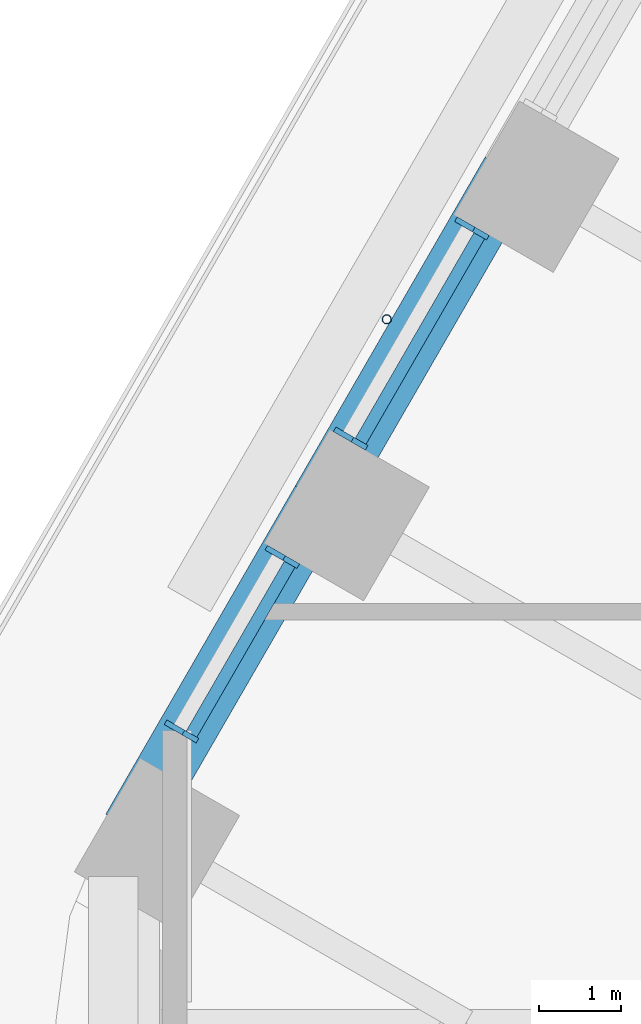
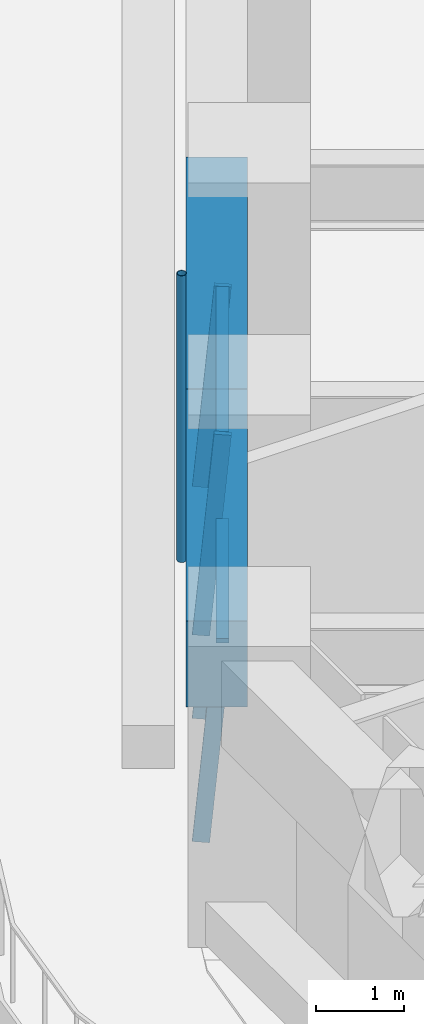
# One storey, part 6 of 20: 7 members, 2 beams, 2 elements without a shape of their own.
"""IFC4 building model written with IfcOpenShell, lengths in metres."""

from ifc_helpers import new_model, si_unit, direction, frame, origin, origin_2d, place, context, subcontext, project, spatial, rectangle, hollow_circle, extrude, material, material_profile, profile_set, type_object, element, aggregate, save


model = new_model("IFC4")

# Units and contexts
model_context = context("Model", 3, precision=1e-05, world=origin(), true_north=direction((0.0, 1.0)))
body_context = subcontext(model_context, "Body", "Model", "MODEL_VIEW")
ifc_project = project(units=[si_unit("LENGTHUNIT", "METRE"), si_unit("AREAUNIT", "SQUARE_METRE"), si_unit("VOLUMEUNIT", "CUBIC_METRE"), si_unit("PLANEANGLEUNIT", "RADIAN"), si_unit("MASSUNIT", "GRAM", prefix="KILO")], contexts=[model_context])

# Site, building, storey
site_placement = place(None, origin())
site = spatial("IfcSite", under=ifc_project, at=site_placement, CompositionType="ELEMENT")
building_placement = place(site_placement, origin())
building = spatial("IfcBuilding", under=site, at=building_placement, Name="Tarfa Lantern Tower", CompositionType="ELEMENT")
storey_placement = place(building_placement, frame((0.0, 0.0, 232.300048828125)))
storey = spatial("IfcBuildingStorey", under=building, at=storey_placement, Name="L52", CompositionType="ELEMENT", Elevation=232.300048828125)

# Curtain wall, members
ifc_material_1 = material(Name="Aluminium framed curtain wall", Category="aluminium")
curtain_wall_type = type_object("IfcCurtainWallType", Name="CW3 CANTED GLAZING HIGH ZONE 2800", PredefinedType="USERDEFINED", material=ifc_material_1)
curtain_wall_1_placement = place(storey_placement, origin())
curtain_wall_1 = element("IfcCurtainWall", 1, at=curtain_wall_1_placement, inside=storey, type_object=curtain_wall_type, Name="CW3 NW L52", ObjectType="CURTAIN WALL", PredefinedType="USERDEFINED")
ifc_material_2 = material(Name="Aluminium mullion", Category="aluminium")
ifc_material_profile_1 = material_profile(ifc_material_2, rectangle(XDim=0.06494140625, YDim=0.199951171875, at=origin_2d()), Name="AL MULLION 65x200")
ifc_profile_set_1 = profile_set([ifc_material_profile_1], Name="Aluminium mullion")
member_type_1 = type_object("IfcMemberType", Name="CWM1 MULLION 65x200", PredefinedType="MULLION", material=ifc_profile_set_1)
member_1_placement = place(storey_placement, frame((-27.75390625, 9.72900390625, 0.0), z_axis=(0.077032386753, -0.044465143199, 0.996036576854), x_axis=(0.499919672301, 0.866071776036, 0.0)))
member_1 = element("IfcMember", 2, at=member_1_placement, type_object=member_type_1, Name="CW3 mullion 1", PredefinedType="MULLION", context=body_context, shape_type="SweptSolid", body=[
    extrude(rectangle(XDim=0.06494140625, YDim=0.199951171875, at=origin_2d()), origin(), (0.0, 0.0, 1.0), 2.811279296875),
])
member_2_placement = place(storey_placement, frame((-29.230712890625, 7.1708984375, 0.0), z_axis=(0.077032386753, -0.044465143199, 0.996036576854), x_axis=(0.499919672301, 0.866071776036, 0.0)))
member_2 = element("IfcMember", 3, at=member_2_placement, type_object=member_type_1, Name="CW3 mullion 2", PredefinedType="MULLION", context=body_context, shape_type="SweptSolid", body=[
    extrude(rectangle(XDim=0.06494140625, YDim=0.199951171875, at=origin_2d()), origin(), (0.0, 0.0, 1.0), 2.811279296875),
])

curtain_wall_2_placement = place(storey_placement, origin())
curtain_wall_2 = element("IfcCurtainWall", 4, at=curtain_wall_2_placement, inside=storey, type_object=curtain_wall_type, Name="CW3 NW L52", ObjectType="CURTAIN WALL", PredefinedType="USERDEFINED")
member_3_placement = place(storey_placement, frame((-30.063232421875, 5.72900390625, 0.0), z_axis=(0.077032386753, -0.044465143199, 0.996036576854), x_axis=(0.499919672301, 0.866071776036, 0.0)))
member_3 = element("IfcMember", 5, at=member_3_placement, type_object=member_type_1, Name="CW3 mullion 1", PredefinedType="MULLION", context=body_context, shape_type="SweptSolid", body=[
    extrude(rectangle(XDim=0.06494140625, YDim=0.199951171875, at=origin_2d()), origin(), (0.0, 0.0, 1.0), 2.811279296875),
])
member_4_placement = place(storey_placement, frame((-31.2900390625, 3.60400390625, 0.0), z_axis=(0.077032386753, -0.044465143199, 0.996036576854), x_axis=(0.499919672301, 0.866071776036, 0.0)))
member_4 = element("IfcMember", 6, at=member_4_placement, type_object=member_type_1, Name="CW3 mullion 2", PredefinedType="MULLION", context=body_context, shape_type="SweptSolid", body=[
    extrude(rectangle(XDim=0.06494140625, YDim=0.199951171875, at=origin_2d()), origin(), (0.0, 0.0, 1.0), 2.811279296875),
])

# Member
ifc_material_3 = material(Name="Aluminium transom", Category="aluminium")
ifc_material_profile_2 = material_profile(ifc_material_3, rectangle(XDim=0.14990234375, YDim=0.06494140625, at=origin_2d()), Name="AL TRANSOM 150x65")
ifc_profile_set_2 = profile_set([ifc_material_profile_2], Name="Aluminium transom")
member_type_2 = type_object("IfcMemberType", Name="CWT1 TRANSOM 150x65", PredefinedType="USERDEFINED", material=ifc_profile_set_2)
member_5_placement = place(storey_placement, frame((-27.55615234375, 9.577392578125, 2.767333984375), z_axis=(-0.499993141028, -0.866029363778, 0.0), x_axis=(0.866029363778, -0.499993141028, 0.0)))
member_5 = element("IfcMember", 7, at=member_5_placement, type_object=member_type_2, Name="CW3 transom 1.2", ObjectType="TRANSOM", PredefinedType="USERDEFINED", context=body_context, shape_type="SweptSolid", body=[
    extrude(rectangle(XDim=0.14990234375, YDim=0.06494140625, at=origin_2d()), origin(), (0.0, 0.0, 1.0), 2.888671875),
])

aggregate(curtain_wall_1, [member_1, member_2, member_5])

member_6_placement = place(storey_placement, frame((-29.865478515625, 5.577392578125, 2.767333984375), z_axis=(-0.499964266659, -0.866046033456, 0.0), x_axis=(0.866046033456, -0.499964266659, 0.0)))
member_6 = element("IfcMember", 8, at=member_6_placement, type_object=member_type_2, Name="CW3 transom 1.2", ObjectType="TRANSOM", PredefinedType="USERDEFINED", context=body_context, shape_type="SweptSolid", body=[
    extrude(rectangle(XDim=0.14990234375, YDim=0.06494140625, at=origin_2d()), origin(), (0.0, 0.0, 1.0), 2.388916015625),
])

aggregate(curtain_wall_2, [member_3, member_4, member_6])

# Beams
ifc_material_4 = material(Name="Concrete C80/95", Category="concrete")
ifc_material_profile_3 = material_profile(ifc_material_4, rectangle(XDim=0.699951171875, YDim=1.199951171875, at=origin_2d()), Name="RC 700x1200")
ifc_profile_set_3 = profile_set([ifc_material_profile_3], Name="Concrete C80/95")
beam_type = type_object("IfcBeamType", Name="EB3 RC 700x1200", PredefinedType="SPANDREL", material=ifc_profile_set_3)
beam_1_placement = place(storey_placement, frame((-27.181640625, 10.360107421875, 3.39990234375), z_axis=(-0.499987836815, -0.866032426089, 0.0), x_axis=(0.866032426089, -0.499987836815, 0.0)))
element("IfcBeam", 9, at=beam_1_placement, inside=storey, type_object=beam_type, Name="Edge beam NW4", PredefinedType="SPANDREL", context=body_context, shape_type="SweptSolid", body=[
    extrude(rectangle(XDim=0.699951171875, YDim=1.199951171875, at=origin_2d()), origin(), (0.0, 0.0, 1.0), 4.61865234375),
])
beam_2_placement = place(storey_placement, frame((-29.490966796875, 6.360107421875, 3.39990234375), z_axis=(-0.500027479704, -0.866009537788, 0.0), x_axis=(0.866009537788, -0.500027479704, 0.0)))
element("IfcBeam", 10, at=beam_2_placement, inside=storey, type_object=beam_type, Name="Edge beam NW5", PredefinedType="SPANDREL", context=body_context, shape_type="SweptSolid", body=[
    extrude(rectangle(XDim=0.699951171875, YDim=1.199951171875, at=origin_2d()), origin(), (0.0, 0.0, 1.0), 4.618896484375),
])

# Member
ifc_material_5 = material(Name="Steel S355", Category="steel")
ifc_material_profile_4 = material_profile(ifc_material_5, hollow_circle(Radius=0.05712890625, WallThickness=0.00634765625, at=origin_2d()), Name="CHS114.3x6.3")
ifc_profile_set_4 = profile_set([ifc_material_profile_4], Name="Steel S355")
member_type_3 = type_object("IfcMemberType", Name="TR1 GREEN WALL TRELLIS CHS114.3x6.3", PredefinedType="USERDEFINED", material=ifc_profile_set_4)
member_7_placement = place(storey_placement, frame((-28.682861328125, 8.56005859375, 0.0), z_axis=(0.0, 0.0, 1.0), x_axis=(1.0, 0.0, 0.0)))
element("IfcMember", 11, at=member_7_placement, inside=storey, type_object=member_type_3, Name="Trellis post NW 2", ObjectType="TRELLIS", PredefinedType="USERDEFINED", context=body_context, shape_type="SweptSolid", body=[
    extrude(hollow_circle(Radius=0.05712890625, WallThickness=0.00634765625, at=origin_2d()), origin(), (0.0, 0.0, 1.0), 4.0),
])

save(model, "model.ifc")
